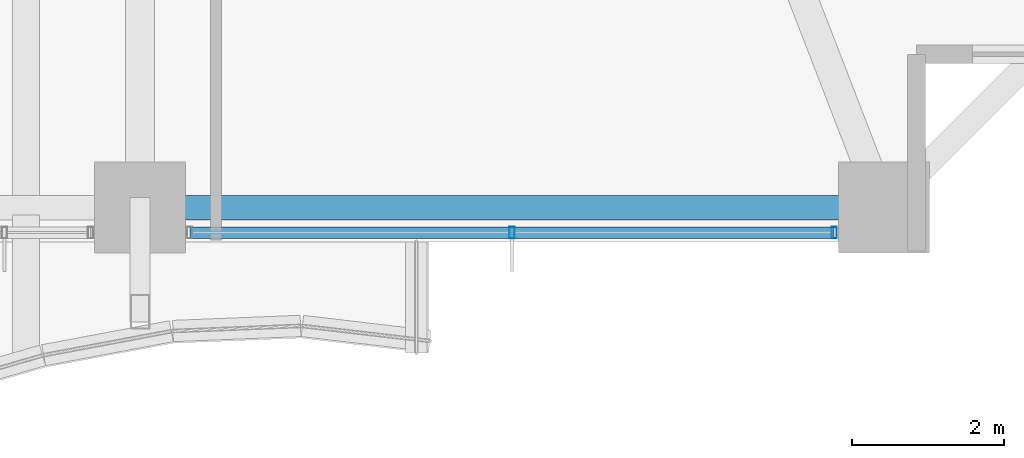
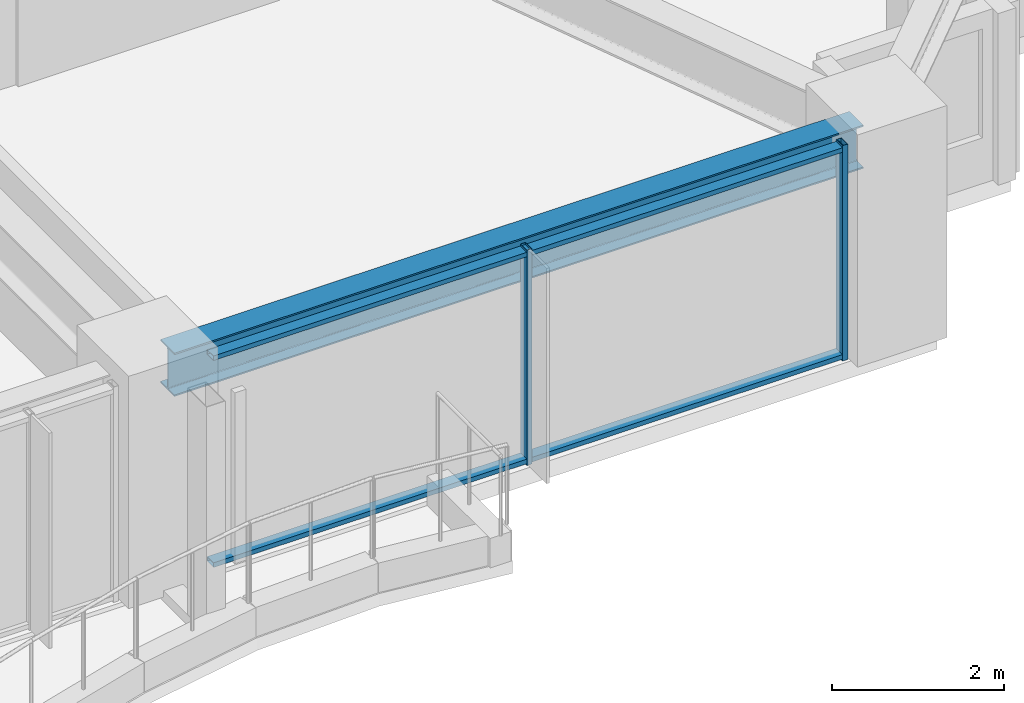
# One storey, part 10 of 38: 4 members, 1 beam, 1 element without a shape of its own.
"""IFC4 building model written with IfcOpenShell, lengths in metres."""

import ifcopenshell
import ifcopenshell.guid

model = None  # the IFC model being written
_history = None  # IfcOwnerHistory: only IFC2X3 demands one
_inside = {}  # id of a spatial element -> (the spatial element, [elements in it])
_under = {}  # id of a project, library or spatial element -> (it, [spatial elements below it])
_declared = {}  # id of a project -> (the project, [libraries it declares])
_typed = {}  # id of a type object -> (the type object, [elements of that type])
_made_of = {}  # id of a material, layer set ... -> (it, [elements and type objects made of it])


def new_model(schema):
    """Start an empty IFC model of exactly this schema.

    Asked for "IFC4X3", IfcOpenShell would pick the latest addendum, in which some entities
    have other attributes; the version numbers below select the first issue.
    IFC2X3 requires an IfcOwnerHistory on every rooted entity: one is made here for all.
    """
    global model, _history
    if schema == "IFC4X3":
        model = ifcopenshell.file(schema_version=(4, 3, 0, 0))
    else:
        model = ifcopenshell.file(schema=schema)
    _inside.clear()
    _under.clear()
    _declared.clear()
    _typed.clear()
    _made_of.clear()
    _history = None
    if model.schema == "IFC2X3":
        org = make("IfcOrganization", Name="unknown")
        user = make(
            "IfcPersonAndOrganization",
            ThePerson=make("IfcPerson", FamilyName="unknown"),
            TheOrganization=org,
        )
        app = make(
            "IfcApplication",
            ApplicationDeveloper=org,
            Version="unknown",
            ApplicationFullName="unknown",
            ApplicationIdentifier="unknown",
        )
        _history = make(
            "IfcOwnerHistory",
            OwningUser=user,
            OwningApplication=app,
            ChangeAction="ADDED",
            CreationDate=0,
        )
    return model


def make(cls, **values):
    """One entity of the class cls with the attributes given. An attribute that is None is left unset."""
    return model.create_entity(
        cls, **{name: value for name, value in values.items() if value is not None}
    )


def rooted(cls, **values):
    """An entity with a GlobalId (a new one), such as an element, a storey or a relation."""
    return make(cls, GlobalId=ifcopenshell.guid.new(), OwnerHistory=_history, **values)


def si_unit(unit_type, name, prefix=None):
    """IfcSIUnit, for example si_unit("LENGTHUNIT", "METRE", prefix="MILLI")."""
    return make("IfcSIUnit", UnitType=unit_type, Prefix=prefix, Name=name)


def assignment(units):
    """IfcUnitAssignment: the units of a project."""
    return None if units is None else make("IfcUnitAssignment", Units=units)


def point(xyz):
    """IfcCartesianPoint."""
    return None if xyz is None else make("IfcCartesianPoint", Coordinates=xyz)


def direction(xyz):
    """IfcDirection."""
    return None if xyz is None else make("IfcDirection", DirectionRatios=xyz)


def frame(location, z_axis=None, x_axis=None):
    """IfcAxis2Placement3D, a coordinate frame: its origin and axes. An axis left out is left unset."""
    return make(
        "IfcAxis2Placement3D",
        Location=point(location),
        Axis=direction(z_axis),
        RefDirection=direction(x_axis),
    )


def frame_2d(location, x_axis=None):
    """IfcAxis2Placement2D, a coordinate frame in the plane: its origin and x axis."""
    return make(
        "IfcAxis2Placement2D", Location=point(location), RefDirection=direction(x_axis)
    )


def origin():
    """The frame at (0, 0, 0) with its axes left unset."""
    return frame((0.0, 0.0, 0.0))


def origin_2d():
    """The frame at (0, 0) in the plane with its x axis left unset."""
    return frame_2d((0.0, 0.0))


def place(relative_to, where):
    """IfcLocalPlacement: puts the frame where relative to a parent placement (None: the world)."""
    return make(
        "IfcLocalPlacement", PlacementRelTo=relative_to, RelativePlacement=where
    )


def context(
    kind, dimensions, precision=None, world=None, true_north=None, identifier=None
):
    """IfcGeometricRepresentationContext, for example the 3D "Model" context."""
    return make(
        "IfcGeometricRepresentationContext",
        ContextIdentifier=identifier,
        ContextType=kind,
        CoordinateSpaceDimension=dimensions,
        Precision=precision,
        WorldCoordinateSystem=world,
        TrueNorth=true_north,
    )


def subcontext(parent, identifier, kind, view, scale=None):
    """IfcGeometricRepresentationSubContext, for example "Body" below "Model"."""
    return make(
        "IfcGeometricRepresentationSubContext",
        ContextIdentifier=identifier,
        ContextType=kind,
        ParentContext=parent,
        TargetScale=scale,
        TargetView=view,
    )


def project(units=None, contexts=None):
    """IfcProject with its units and contexts."""
    return rooted(
        "IfcProject",
        Name="project",
        RepresentationContexts=contexts,
        UnitsInContext=assignment(units),
    )


def spatial(cls, under=None, at=None, **own):
    """A site, building, storey or space (cls), placed at a placement, below another one or the project."""
    s = rooted(cls, ObjectPlacement=at, **own)
    if under is not None:
        _under.setdefault(under.id(), (under, []))[1].append(s)
    return s


def profile(cls, at=None, kind="AREA", **sizes):
    """A parametric profile (cls). Its sizes go by their IFC names, for example OverallWidth=200.0."""
    return make(cls, ProfileType=kind, Position=at, **sizes)


def hollow_rectangle(**sizes):
    """IfcRectangleHollowProfileDef."""
    return profile("IfcRectangleHollowProfileDef", **sizes)


def i_section(**sizes):
    """IfcIShapeProfileDef."""
    return profile("IfcIShapeProfileDef", **sizes)


def extrude(swept, where, along, depth):
    """IfcExtrudedAreaSolid: the profile swept, set in the frame where, extruded along a direction by depth."""
    return make(
        "IfcExtrudedAreaSolid",
        SweptArea=swept,
        Position=where,
        ExtrudedDirection=direction(along),
        Depth=depth,
    )


def shape(context_of_items, identifier, shape_type, items):
    """IfcShapeRepresentation: the items that make up one representation, for example the "Body"."""
    return make(
        "IfcShapeRepresentation",
        ContextOfItems=context_of_items,
        RepresentationIdentifier=identifier,
        RepresentationType=shape_type,
        Items=items,
    )


def material(Name=None, Category=None):
    """IfcMaterial."""
    return make("IfcMaterial", Name=Name, Category=Category)


def material_profile(
    of_material, cross_section, Name=None, Category=None, Priority=None
):
    """IfcMaterialProfile: a cross section and its material."""
    return make(
        "IfcMaterialProfile",
        Name=Name,
        Material=of_material,
        Profile=cross_section,
        Priority=Priority,
        Category=Category,
    )


def profile_set(profiles, Name=None, composite=None):
    """IfcMaterialProfileSet."""
    return make(
        "IfcMaterialProfileSet",
        Name=Name,
        MaterialProfiles=profiles,
        CompositeProfile=composite,
    )


def made_of(thing, what):
    """Note that an element or type object is made of a material, layer set ...; save() writes the relation."""
    if what is not None:
        _made_of.setdefault(what.id(), (what, []))[1].append(thing)
    return thing


def type_object(cls, material=None, **own):
    """A type object (cls), such as IfcWallType, which elements share."""
    return made_of(rooted(cls, **own), material)


def element(
    cls,
    number,
    at=None,
    inside=None,
    cuts=None,
    type_object=None,
    material=None,
    context=None,
    identifier="Body",
    shape_type=None,
    held_by="IfcProductDefinitionShape",
    body=None,
    shapes=None,
    **own,
):
    """One element of the class cls, such as IfcWall. Its Tag is "e" and its number.

    at: its placement. inside: the storey or other place that contains it. cuts: it is an
    opening in that element (IfcRelVoidsElement). A single representation is given by context,
    identifier, shape_type and body (its items); several are given by shapes. held_by: the class
    of the entity that holds the representations. save() writes the other relations.
    """
    e = rooted(cls, Tag="e%d" % number, ObjectPlacement=at, **own)
    if body is not None:
        shapes = [shape(context, identifier, shape_type, body)]
    if shapes is not None:
        e.Representation = make(held_by, Representations=shapes)
    if inside is not None:
        _inside.setdefault(inside.id(), (inside, []))[1].append(e)
    if cuts is not None:
        rooted(
            "IfcRelVoidsElement", RelatingBuildingElement=cuts, RelatedOpeningElement=e
        )
    if type_object is not None:
        _typed.setdefault(type_object.id(), (type_object, []))[1].append(e)
    return made_of(e, material)


def aggregate(whole, parts):
    """IfcRelAggregates: a whole, such as a stair, and the parts it consists of."""
    return rooted("IfcRelAggregates", RelatingObject=whole, RelatedObjects=parts)


def save(model, path):
    """Write the relations noted so far, then the file.

    IfcRelAggregates (storeys below a building ...), IfcRelContainedInSpatialStructure (elements
    in a storey), IfcRelDefinesByType, IfcRelAssociatesMaterial and IfcRelDeclares: one each for
    every whole, place, type object, material and project.
    """
    for whole, parts in _under.values():
        aggregate(whole, parts)
    for where, things in _inside.values():
        rooted(
            "IfcRelContainedInSpatialStructure",
            RelatedElements=things,
            RelatingStructure=where,
        )
    for kind, things in _typed.values():
        rooted("IfcRelDefinesByType", RelatedObjects=things, RelatingType=kind)
    for what, things in _made_of.values():
        rooted("IfcRelAssociatesMaterial", RelatedObjects=things, RelatingMaterial=what)
    for by, libraries in _declared.values():
        rooted("IfcRelDeclares", RelatingContext=by, RelatedDefinitions=libraries)
    model.write(path)


model = new_model("IFC4")

# Units and contexts
model_context = context("Model", 3, precision=1e-05, world=origin(), true_north=direction((0.0, 1.0)))
body_context = subcontext(model_context, "Body", "Model", "MODEL_VIEW")
ifc_project = project(units=[si_unit("LENGTHUNIT", "METRE"), si_unit("AREAUNIT", "SQUARE_METRE"), si_unit("VOLUMEUNIT", "CUBIC_METRE"), si_unit("PLANEANGLEUNIT", "RADIAN"), si_unit("MASSUNIT", "GRAM", prefix="KILO")], contexts=[model_context])

# Site, building, storey
site_placement = place(None, origin())
site = spatial("IfcSite", under=ifc_project, at=site_placement, CompositionType="ELEMENT")
building_placement = place(site_placement, origin())
building = spatial("IfcBuilding", under=site, at=building_placement, Name="Kolvaren Belvedere", CompositionType="ELEMENT")
storey_placement = place(building_placement, frame((0.0, 0.0, 50.199951171875)))
storey = spatial("IfcBuildingStorey", under=building, at=storey_placement, Name="L14", CompositionType="ELEMENT", Elevation=50.199951171875)

# Beam
ifc_material_1 = material(Name="Structural steel ASTM A992 Grade 50", Category="steel")
ifc_material_profile_1 = material_profile(ifc_material_1, i_section(OverallWidth=0.324951171875, OverallDepth=0.615966796875, WebThickness=0.013916015625, FlangeThickness=0.021484375, FilletRadius=0.02001953125, at=origin_2d()), Name="W24X117")
ifc_profile_set_1 = profile_set([ifc_material_profile_1], Name="Structural steel ASTM A992 Grade 50")
beam_type = type_object("IfcBeamType", Name="BM-SPAN-W24X117", PredefinedType="SPANDREL", material=ifc_profile_set_1)
beam_placement = place(storey_placement, frame((4.8701171875, -21.550048828125, 2.751953125), z_axis=(1.0, 0.0, 0.0), x_axis=(0.0, 1.0, 0.0)))
element("IfcBeam", 1, at=beam_placement, inside=storey, type_object=beam_type, Name="L14 Perimeter Spandrel S3-S4", PredefinedType="SPANDREL", context=body_context, shape_type="SweptSolid", body=[
    extrude(i_section(OverallWidth=0.324951171875, OverallDepth=0.615966796875, WebThickness=0.013916015625, FlangeThickness=0.021484375, FilletRadius=0.02001953125, at=origin_2d()), origin(), (0.0, 0.0, 1.0), 9.259765625),
])

# Curtain wall, members
ifc_material_2 = material(Name="Anodised pale-metal aluminium AA 6063-T6", Category="aluminium")
curtain_wall_type = type_object("IfcCurtainWallType", Name="CW-Z1-LOW", PredefinedType="NOTDEFINED", material=ifc_material_2)
curtain_wall_placement = place(storey_placement, origin())
curtain_wall = element("IfcCurtainWall", 2, at=curtain_wall_placement, inside=storey, type_object=curtain_wall_type, Name="L14 Unitised Curtain Wall FCW-L14-S1-B1", PredefinedType="NOTDEFINED")
ifc_material_3 = material(Name="Anodised pale-metal aluminium AA 6063-T6", Category="aluminium")
ifc_material_profile_2 = material_profile(ifc_material_3, hollow_rectangle(XDim=0.070068359375, YDim=0.14990234375, WallThickness=0.004150390625, at=origin_2d()), Name="ALU-MUL-150X70")
ifc_profile_set_2 = profile_set([ifc_material_profile_2], Name="Anodised pale-metal aluminium AA 6063-T6")
member_type_1 = type_object("IfcMemberType", Name="CW-MUL-150", PredefinedType="MULLION", material=ifc_profile_set_2)
member_1_placement = place(storey_placement, frame((13.7451171875, -21.8798828125, 0.0), z_axis=(0.0, 0.0, 1.0), x_axis=(1.0, 0.0, 0.0)))
member_1 = element("IfcMember", 3, at=member_1_placement, type_object=member_type_1, Name="FCW-L14-S1-B1 Unitised Mullion 1", PredefinedType="MULLION", context=body_context, shape_type="SweptSolid", body=[
    extrude(hollow_rectangle(XDim=0.070068359375, YDim=0.14990234375, WallThickness=0.004150390625, at=origin_2d()), origin(), (0.0, 0.0, 1.0), 3.06005859375),
])
member_2_placement = place(storey_placement, frame((9.5, -21.8798828125, 0.0), z_axis=(0.0, 0.0, 1.0), x_axis=(1.0, 0.0, 0.0)))
member_2 = element("IfcMember", 4, at=member_2_placement, type_object=member_type_1, Name="FCW-L14-S1-B1 Unitised Mullion 2", PredefinedType="MULLION", context=body_context, shape_type="SweptSolid", body=[
    extrude(hollow_rectangle(XDim=0.070068359375, YDim=0.14990234375, WallThickness=0.004150390625, at=origin_2d()), origin(), (0.0, 0.0, 1.0), 3.06005859375),
])
ifc_material_4 = material(Name="Anodised pale-metal aluminium AA 6063-T6", Category="aluminium")
ifc_material_profile_3 = material_profile(ifc_material_4, hollow_rectangle(XDim=0.06494140625, YDim=0.14990234375, WallThickness=0.00390625, at=origin_2d()), Name="ALU-TRN-150X65")
ifc_profile_set_3 = profile_set([ifc_material_profile_3], Name="Anodised pale-metal aluminium AA 6063-T6")
member_type_2 = type_object("IfcMemberType", Name="CW-TRN-150", PredefinedType="USERDEFINED", material=ifc_profile_set_3)
member_3_placement = place(storey_placement, frame((13.7451171875, -21.8798828125, 0.06005859375), z_axis=(-1.0, 0.0, 0.0), x_axis=(0.0, 0.0, 1.0)))
member_3 = element("IfcMember", 5, at=member_3_placement, type_object=member_type_2, Name="FCW-L14-S1-B1 Sill Transom", ObjectType="TRANSOM", PredefinedType="USERDEFINED", context=body_context, shape_type="SweptSolid", body=[
    extrude(hollow_rectangle(XDim=0.06494140625, YDim=0.14990234375, WallThickness=0.00390625, at=origin_2d()), origin(), (0.0, 0.0, 1.0), 8.490234375),
])
member_4_placement = place(storey_placement, frame((13.7451171875, -21.8798828125, 3.0), z_axis=(-1.0, 0.0, 0.0), x_axis=(0.0, 0.0, 1.0)))
member_4 = element("IfcMember", 6, at=member_4_placement, type_object=member_type_2, Name="FCW-L14-S1-B1 Head Transom", ObjectType="TRANSOM", PredefinedType="USERDEFINED", context=body_context, shape_type="SweptSolid", body=[
    extrude(hollow_rectangle(XDim=0.06494140625, YDim=0.14990234375, WallThickness=0.00390625, at=origin_2d()), origin(), (0.0, 0.0, 1.0), 8.490234375),
])
aggregate(curtain_wall, [member_1, member_2, member_3, member_4])

save(model, "model.ifc")
